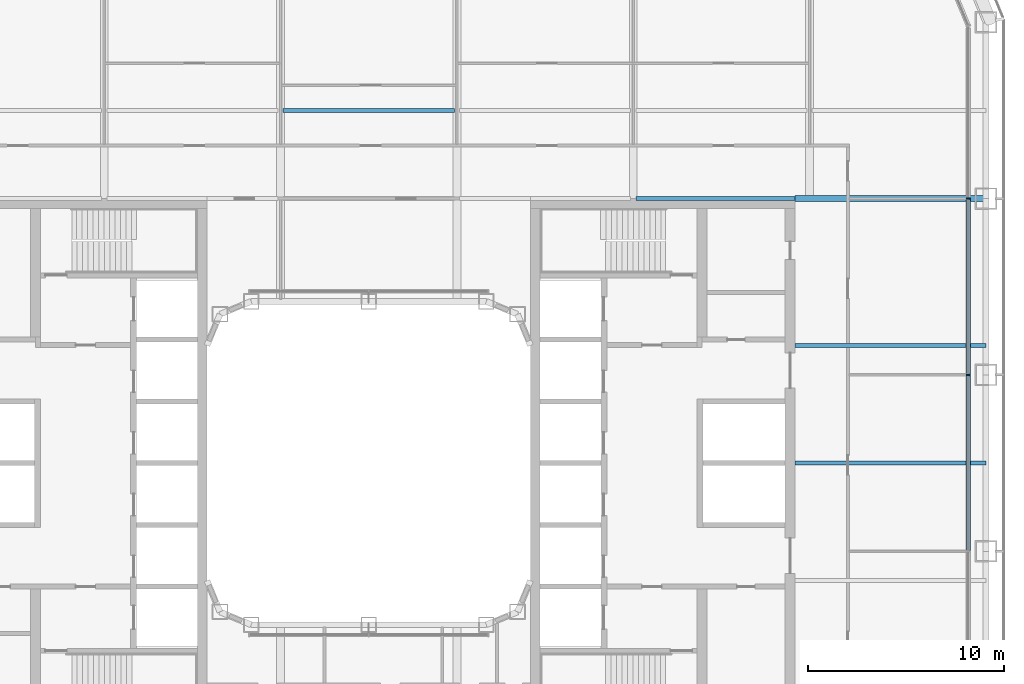
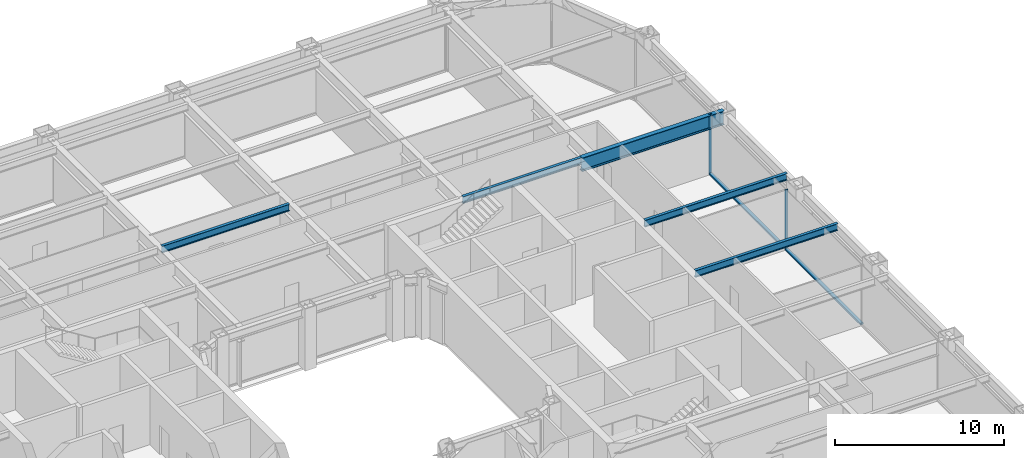
# One storey, part 9 of 28: 5 beams, 4 members, 1 element without a shape of its own.
"""IFC4 building model written with IfcOpenShell, lengths in metres."""

from ifc_helpers import new_model, si_unit, direction, frame, origin, origin_2d, place, context, subcontext, project, spatial, rectangle, i_section, extrude, material, layer, layer_set, material_profile, profile_set, type_object, element, aggregate, save


model = new_model("IFC4")

# Units and contexts
model_context = context("Model", 3, precision=1e-05, world=origin(), true_north=direction((0.0, 1.0)))
body_context = subcontext(model_context, "Body", "Model", "MODEL_VIEW")
ifc_project = project(units=[si_unit("LENGTHUNIT", "METRE"), si_unit("AREAUNIT", "SQUARE_METRE"), si_unit("VOLUMEUNIT", "CUBIC_METRE"), si_unit("PLANEANGLEUNIT", "RADIAN"), si_unit("MASSUNIT", "GRAM", prefix="KILO")], contexts=[model_context])

# Site, building, storey
site_placement = place(None, origin())
site = spatial("IfcSite", under=ifc_project, at=site_placement, CompositionType="ELEMENT")
building_placement = place(site_placement, origin())
building = spatial("IfcBuilding", under=site, at=building_placement, Name="Siwar Civic Tower", CompositionType="ELEMENT")
storey_placement = place(building_placement, frame((0.0, 0.0, 31.199951171875)))
storey = spatial("IfcBuildingStorey", under=building, at=storey_placement, Name="L06", CompositionType="ELEMENT", Elevation=31.199951171875)

# Curtain wall, members
ifc_material_1 = material(Name="Aluminium and glass", Category="aluminium")
ifc_layer = layer(ifc_material_1, 0.219970703125)
ifc_layer_set = layer_set([ifc_layer], Name="Aluminium and glass")
curtain_wall_type = type_object("IfcCurtainWallType", Name="ENV-CW-A", PredefinedType="NOTDEFINED", material=ifc_layer_set)
curtain_wall_placement = place(storey_placement, origin())
curtain_wall = element("IfcCurtainWall", 1, at=curtain_wall_placement, inside=storey, type_object=curtain_wall_type, Name="Curtain wall A E", PredefinedType="NOTDEFINED")
ifc_material_2 = material(Name="Aluminium 6063-T6", Category="aluminium")
ifc_material_profile_1 = material_profile(ifc_material_2, rectangle(XDim=0.219970703125, YDim=0.070068359375, at=origin_2d()), Name="AL 220x70")
ifc_profile_set_1 = profile_set([ifc_material_profile_1], Name="Aluminium 6063-T6")
member_type_1 = type_object("IfcMemberType", Name="ENV-MULLION-A", PredefinedType="MULLION", material=ifc_profile_set_1)
member_1_placement = place(storey_placement, frame((30.60009765625, 4.5, 0.0), z_axis=(0.0, 0.0, 1.0), x_axis=(-1.0, 0.0, 0.0)))
member_1 = element("IfcMember", 2, at=member_1_placement, type_object=member_type_1, Name="Mullion A E 4", PredefinedType="MULLION", context=body_context, shape_type="SweptSolid", body=[
    extrude(rectangle(XDim=0.219970703125, YDim=0.070068359375, at=origin_2d()), origin(), (0.0, 0.0, 1.0), 4.35009765625),
])
member_2_placement = place(storey_placement, frame((30.60009765625, 13.5, 0.0), z_axis=(0.0, 0.0, 1.0), x_axis=(-1.0, 0.0, 0.0)))
member_2 = element("IfcMember", 3, at=member_2_placement, type_object=member_type_1, Name="Mullion A E 5", PredefinedType="MULLION", context=body_context, shape_type="SweptSolid", body=[
    extrude(rectangle(XDim=0.219970703125, YDim=0.070068359375, at=origin_2d()), origin(), (0.0, 0.0, 1.0), 4.35009765625),
])
ifc_material_3 = material(Name="Aluminium 6063-T6", Category="aluminium")
ifc_material_profile_2 = material_profile(ifc_material_3, rectangle(XDim=0.219970703125, YDim=0.1201171875, at=origin_2d()), Name="AL 220x120")
ifc_profile_set_2 = profile_set([ifc_material_profile_2], Name="Aluminium 6063-T6")
member_type_2 = type_object("IfcMemberType", Name="ENV-TRANSOM-A", PredefinedType="USERDEFINED", material=ifc_profile_set_2)
member_3_placement = place(storey_placement, frame((30.60009765625, -4.465087890625, 0.06005859375), z_axis=(0.0, 1.0, 0.0), x_axis=(-1.0, 0.0, 0.0)))
member_3 = element("IfcMember", 4, at=member_3_placement, type_object=member_type_2, Name="Transom A E 3", ObjectType="TRANSOM", PredefinedType="USERDEFINED", context=body_context, shape_type="SweptSolid", body=[
    extrude(rectangle(XDim=0.219970703125, YDim=0.1201171875, at=origin_2d()), origin(), (0.0, 0.0, 1.0), 8.93017578125),
])
member_4_placement = place(storey_placement, frame((30.60009765625, 4.534912109375, 0.06005859375), z_axis=(0.0, 1.0, 0.0), x_axis=(-1.0, 0.0, 0.0)))
member_4 = element("IfcMember", 5, at=member_4_placement, type_object=member_type_2, Name="Transom A E 4", ObjectType="TRANSOM", PredefinedType="USERDEFINED", context=body_context, shape_type="SweptSolid", body=[
    extrude(rectangle(XDim=0.219970703125, YDim=0.1201171875, at=origin_2d()), origin(), (0.0, 0.0, 1.0), 8.93017578125),
])
aggregate(curtain_wall, [member_1, member_2, member_3, member_4])

# Beams
ifc_material_4 = material(Name="Steel S355", Category="steel")
ifc_material_profile_3 = material_profile(ifc_material_4, i_section(OverallWidth=0.199951171875, OverallDepth=0.5, WebThickness=0.01025390625, FlangeThickness=0.01611328125, FilletRadius=0.02099609375, at=origin_2d()), Name="IPE500")
ifc_profile_set_3 = profile_set([ifc_material_profile_3], Name="Steel S355")
beam_type_1 = type_object("IfcBeamType", Name="STR-FB-IPE500", PredefinedType="JOIST", material=ifc_profile_set_3)
for number, where, z_axis, x_axis, name in (
    (6, (21.75, 0.0, 4.10009765625), (1.0, 0.0, 0.0), (0.0, 1.0, 0.0), "L06/bm/F034"),
    (7, (21.75, 6.0, 4.10009765625), (1.0, 0.0, 0.0), (0.0, 1.0, 0.0), "L06/bm/F036"),
):
    element("IfcBeam", number, at=place(storey_placement, frame(where, z_axis=z_axis, x_axis=x_axis)), inside=storey, type_object=beam_type_1, Name=name, PredefinedType="JOIST", context=body_context, shape_type="SweptSolid", body=[
        extrude(i_section(OverallWidth=0.199951171875, OverallDepth=0.5, WebThickness=0.01025390625, FlangeThickness=0.01611328125, FilletRadius=0.02099609375, at=origin_2d()), origin(), (0.0, 0.0, 1.0), 9.75),
    ])
beam_1_placement = place(storey_placement, frame((13.6298828125, 13.5, 4.10009765625), z_axis=(1.0, 0.0, 0.0), x_axis=(0.0, 1.0, 0.0)))
element("IfcBeam", 8, at=beam_1_placement, inside=storey, type_object=beam_type_1, Name="L06/bm/F044", PredefinedType="JOIST", context=body_context, shape_type="SweptSolid", body=[
    extrude(i_section(OverallWidth=0.199951171875, OverallDepth=0.5, WebThickness=0.01025390625, FlangeThickness=0.01611328125, FilletRadius=0.02099609375, at=origin_2d()), origin(), (0.0, 0.0, 1.0), 8.1201171875),
])
beam_2_placement = place(storey_placement, frame((-4.3701171875, 18.0, 4.10009765625), z_axis=(1.0, 0.0, 0.0), x_axis=(0.0, 1.0, 0.0)))
element("IfcBeam", 9, at=beam_2_placement, inside=storey, type_object=beam_type_1, Name="L06/bm/F049", PredefinedType="JOIST", context=body_context, shape_type="SweptSolid", body=[
    extrude(i_section(OverallWidth=0.199951171875, OverallDepth=0.5, WebThickness=0.01025390625, FlangeThickness=0.01611328125, FilletRadius=0.02099609375, at=origin_2d()), origin(), (0.0, 0.0, 1.0), 8.740234375),
])
ifc_material_5 = material(Name="Steel S355", Category="steel")
ifc_material_profile_4 = material_profile(ifc_material_5, i_section(OverallWidth=0.300048828125, OverallDepth=1.0, WebThickness=0.01904296875, FlangeThickness=0.035888671875, FilletRadius=0.030029296875, at=origin_2d()), Name="HEB1000")
ifc_profile_set_4 = profile_set([ifc_material_profile_4], Name="Steel S355")
beam_type_2 = type_object("IfcBeamType", Name="STR-PG-HEB1000", PredefinedType="BEAM", material=ifc_profile_set_4)
beam_3_placement = place(storey_placement, frame((21.75, 13.5, 3.85009765625), z_axis=(1.0, 0.0, 0.0), x_axis=(0.0, 1.0, 0.0)))
element("IfcBeam", 10, at=beam_3_placement, inside=storey, type_object=beam_type_2, Name="L06/bm/F045", PredefinedType="BEAM", context=body_context, shape_type="SweptSolid", body=[
    extrude(i_section(OverallWidth=0.300048828125, OverallDepth=1.0, WebThickness=0.01904296875, FlangeThickness=0.035888671875, FilletRadius=0.030029296875, at=origin_2d()), origin(), (0.0, 0.0, 1.0), 9.75),
])

save(model, "model.ifc")
